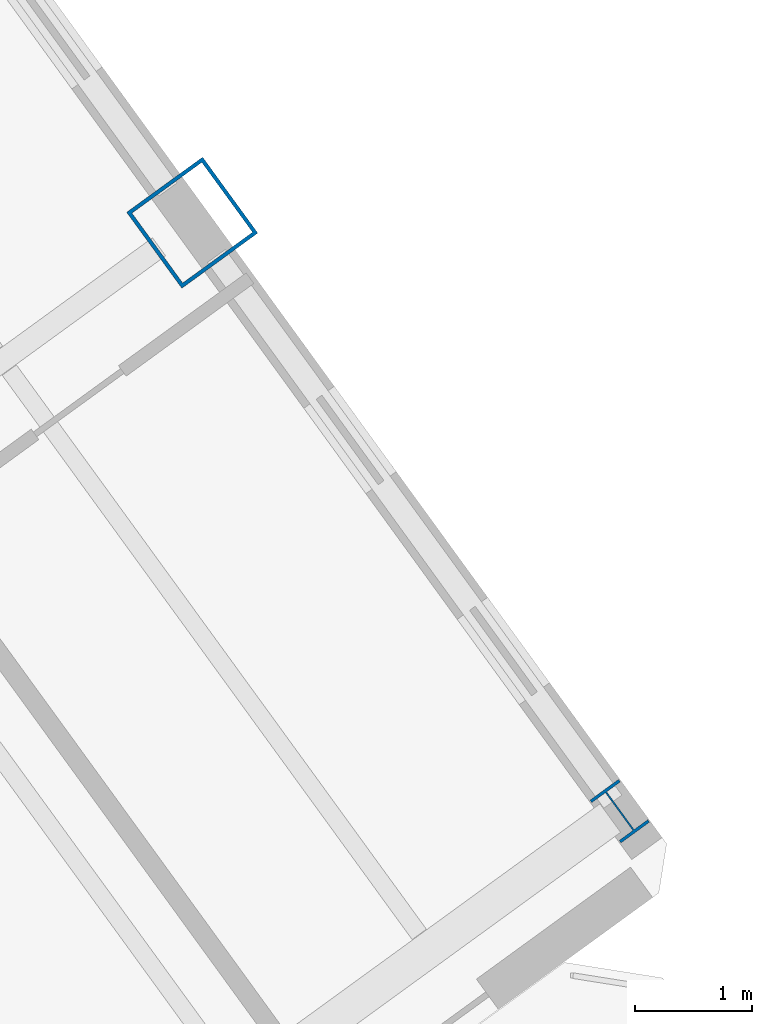
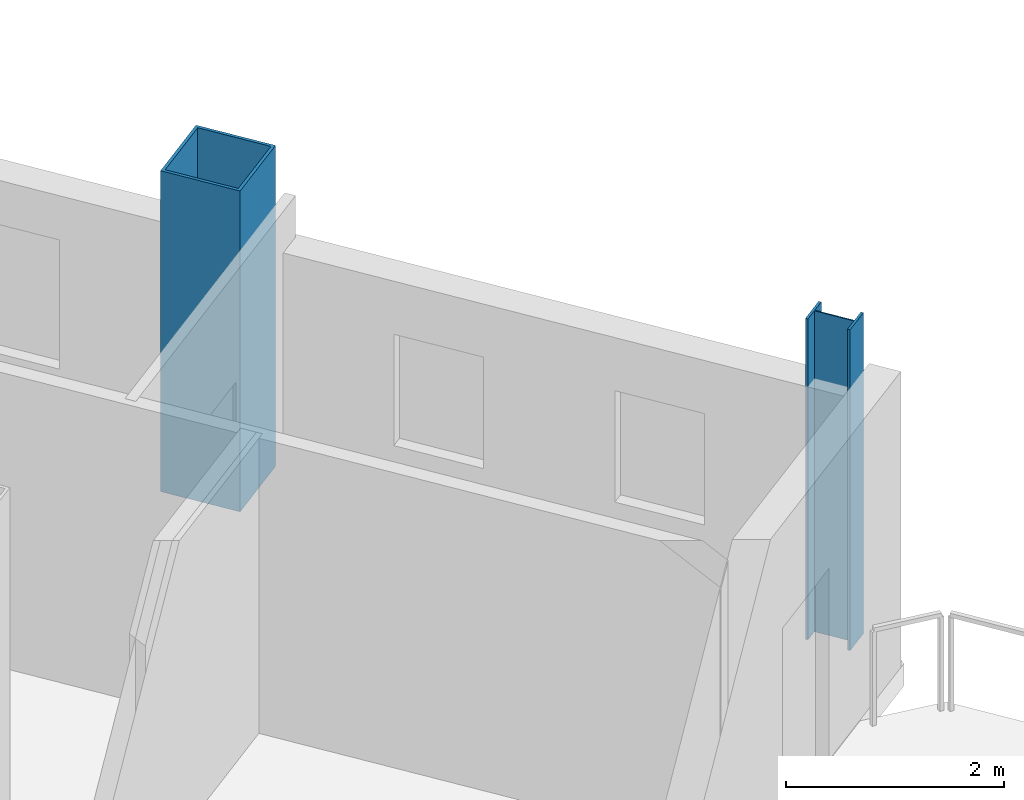
# One storey, part 4 of 27: 2 columns.
"""IFC4 building model written with IfcOpenShell, lengths in metres."""

from ifc_helpers import new_model, si_unit, direction, frame, origin, origin_2d, place, context, subcontext, project, spatial, hollow_rectangle, i_section, extrude, source, transform, mapped, material, material_profile, profile_set, type_object, element, save


model = new_model("IFC4")

# Units and contexts
model_context = context("Model", 3, precision=1e-05, world=origin(), true_north=direction((0.0, 1.0)))
body_context = subcontext(model_context, "Body", "Model", "MODEL_VIEW")
ifc_project = project(units=[si_unit("LENGTHUNIT", "METRE"), si_unit("AREAUNIT", "SQUARE_METRE"), si_unit("VOLUMEUNIT", "CUBIC_METRE"), si_unit("PLANEANGLEUNIT", "RADIAN"), si_unit("MASSUNIT", "GRAM", prefix="KILO")], contexts=[model_context])

# Site, building, storey
site_placement = place(None, origin())
site = spatial("IfcSite", under=ifc_project, at=site_placement, CompositionType="ELEMENT")
building_placement = place(site_placement, origin())
building = spatial("IfcBuilding", under=site, at=building_placement, Name="Tlacorven Tower", CompositionType="ELEMENT")
storey_placement = place(building_placement, frame((0.0, 0.0, 242.10009765625)))
storey = spatial("IfcBuildingStorey", under=building, at=storey_placement, Name="L61", CompositionType="ELEMENT", Elevation=242.10009765625)

# Columns
ifc_material_1 = material(Name="Steel S460M", Category="steel")
ifc_material_profile_1 = material_profile(ifc_material_1, hollow_rectangle(XDim=0.800048828125, YDim=0.800048828125, WallThickness=0.031982421875, at=origin_2d()), Name="BOX 800X800X32")
ifc_profile_set_1 = profile_set([ifc_material_profile_1], Name="Steel S460M")
column_type_1 = type_object("IfcColumnType", Name="COL-TWR-S3", PredefinedType="COLUMN", material=ifc_profile_set_1)
shared_shape_1 = source(origin(), body_context, "Body", "SweptSolid", [
    extrude(hollow_rectangle(XDim=0.800048828125, YDim=0.800048828125, WallThickness=0.031982421875, at=origin_2d()), origin(), (0.0, 0.0, 1.0), 3.599853515625),
])
column_1_placement = place(storey_placement, frame((67.267822265625, 23.353515625, 0.0), z_axis=(0.0, 0.0, 1.0), x_axis=(0.809016994375, 0.587785252292, 0.0)))
element("IfcColumn", 1, at=column_1_placement, inside=storey, type_object=column_type_1, Name="L61 column COL-L61-E4-2", PredefinedType="COLUMN", context=body_context, shape_type="MappedRepresentation", body=[
    mapped(shared_shape_1, transform((0.0, 0.0, 0.0), scale=1.0)),
])
ifc_material_2 = material(Name="Steel S355J2", Category="steel")
ifc_material_profile_2 = material_profile(ifc_material_2, i_section(OverallWidth=0.300048828125, OverallDepth=0.449951171875, WebThickness=0.013916015625, FlangeThickness=0.02587890625, at=origin_2d()), Name="HEB 450")
ifc_profile_set_2 = profile_set([ifc_material_profile_2], Name="Steel S355J2")
column_type_2 = type_object("IfcColumnType", Name="COL-TWR-P3", PredefinedType="COLUMN", material=ifc_profile_set_2)
shared_shape_2 = source(origin(), body_context, "Body", "SweptSolid", [
    extrude(i_section(OverallWidth=0.300048828125, OverallDepth=0.449951171875, WebThickness=0.013916015625, FlangeThickness=0.02587890625, at=origin_2d()), origin(), (0.0, 0.0, 1.0), 3.599853515625),
])
column_2_placement = place(storey_placement, frame((70.911865234375, 18.337646484375, 0.0), z_axis=(0.0, 0.0, 1.0), x_axis=(0.809016994375, 0.587785252292, 0.0)))
element("IfcColumn", 2, at=column_2_placement, inside=storey, type_object=column_type_2, Name="L61 column COL-L61-E4-1", PredefinedType="COLUMN", context=body_context, shape_type="MappedRepresentation", body=[
    mapped(shared_shape_2, transform((0.0, 0.0, 0.0), scale=1.0)),
])

save(model, "model.ifc")
